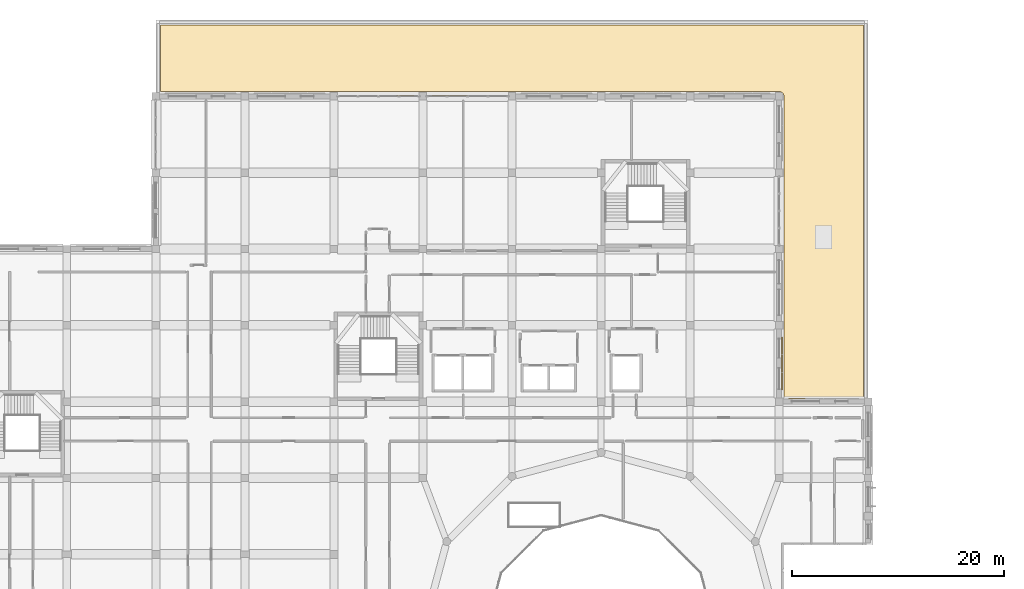
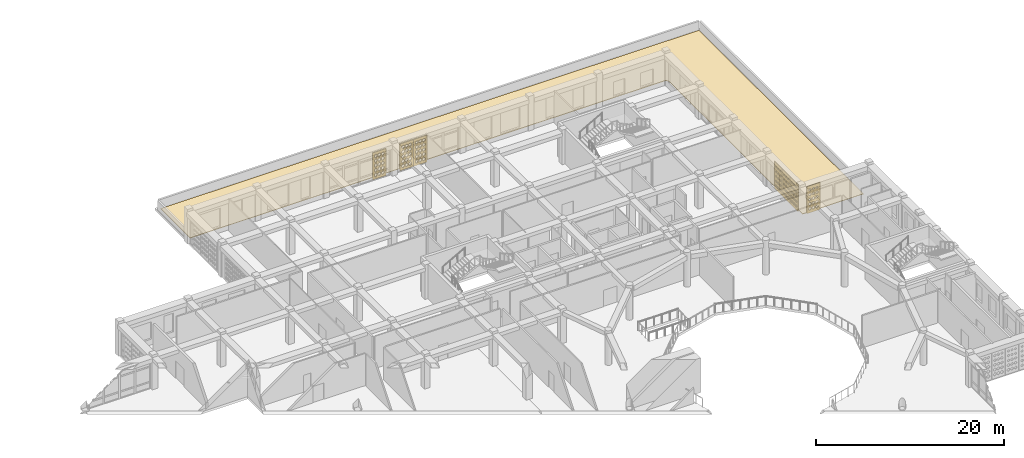
# One storey, part 92 of 100: 8 coverings.
"""IFC4 building model written with IfcOpenShell, lengths in metres."""

from ifc_helpers import new_model, si_unit, derived_unit, direction, frame, origin, place, context, subcontext, project, spatial, polyline, outline, extrude, material, layer, layer_set, type_object, element, save


model = new_model("IFC4")

# Units and contexts
model_context = context("Model", 3, precision=1e-05, world=origin(), true_north=direction((0.0, 1.0)))
body_context = subcontext(model_context, "Body", "Model", "MODEL_VIEW")
ifc_project = project(units=[si_unit("LENGTHUNIT", "METRE"), si_unit("AREAUNIT", "SQUARE_METRE"), si_unit("VOLUMEUNIT", "CUBIC_METRE"), si_unit("PLANEANGLEUNIT", "RADIAN"), si_unit("MASSUNIT", "GRAM", prefix="KILO"), derived_unit("THERMALTRANSMITTANCEUNIT", [(si_unit("POWERUNIT", "WATT"), 1), (si_unit("LENGTHUNIT", "METRE"), -2), (si_unit("THERMODYNAMICTEMPERATUREUNIT", "KELVIN"), -1)])], contexts=[model_context])

# Site, building, storey
site_placement = place(None, origin())
site = spatial("IfcSite", under=ifc_project, at=site_placement, CompositionType="ELEMENT")
building_placement = place(site_placement, origin())
building = spatial("IfcBuilding", under=site, at=building_placement, Name="Veybourne Emporium", CompositionType="ELEMENT")
storey_placement = place(building_placement, frame((0.0, 0.0, 14.39990234375)))
storey = spatial("IfcBuildingStorey", under=building, at=storey_placement, Name="L03", CompositionType="ELEMENT", Elevation=14.39990234375)

# Coverings
ifc_material_1 = material(Name="Single-Ply Warm Roof Membrane", Category="membrane")
ifc_layer_1 = layer(ifc_material_1, 0.06005859375)
ifc_layer_set_1 = layer_set([ifc_layer_1], Name="Single-Ply Warm Roof Membrane")
covering_type_1 = type_object("IfcCoveringType", Name="Roofing_RFG-01", PredefinedType="ROOFING", material=ifc_layer_set_1)
covering_1_placement = place(storey_placement, origin())
element("IfcCovering", 1, at=covering_1_placement, inside=storey, type_object=covering_type_1, Name="L03 warm-roof waterproofing membrane 3.1", PredefinedType="ROOFING", context=body_context, shape_type="SweptSolid", body=[
    extrude(outline(polyline([(92.85009765625, 100.800048828125), (92.847900390625, 100.843994140625), (92.84130859375, 100.8876953125), (92.83056640625, 100.9306640625), (92.815673828125, 100.97216796875), (92.796875, 101.01220703125), (92.774169921875, 101.050048828125), (92.747802734375, 101.08544921875), (92.71826171875, 101.1181640625), (92.685546875, 101.14794921875), (92.64990234375, 101.174072265625), (92.612060546875, 101.19677734375), (92.572265625, 101.2158203125), (92.530517578125, 101.230712890625), (92.48779296875, 101.241455078125), (92.444091796875, 101.247802734375), (92.39990234375, 101.25), (34.050048828125, 101.25), (34.050048828125, 107.550048828125), (100.35009765625, 107.550048828125), (100.35009765625, 72.449951171875), (92.85009765625, 72.449951171875), (92.85009765625, 100.800048828125)])), origin(), (0.0, 0.0, 1.0), 0.06005859375),
])
ifc_material_2 = material(Name="Warm-White Perforated Aluminium Screen Alloy", Category="aluminium")
ifc_layer_2 = layer(ifc_material_2, 0.06005859375)
ifc_layer_set_2 = layer_set([ifc_layer_2], Name="Warm-White Perforated Aluminium Screen Alloy")
covering_type_2 = type_object("IfcCoveringType", Name="WaveScreen_SCR-01", PredefinedType="CLADDING", material=ifc_layer_set_2)
covering_2_placement = place(storey_placement, frame((57.1201171875, 100.89697265625, 1.815185546875), z_axis=(0.0, -1.0, 0.0), x_axis=(1.0, 0.0, 0.0)))
element("IfcCovering", 2, at=covering_2_placement, inside=storey, type_object=covering_type_2, Name="L03 wave-perforated aluminium screen SCR-01 (33C.4)", PredefinedType="CLADDING", context=body_context, shape_type="SweptSolid", body=[
    extrude(outline(polyline([(-0.81982421875, -1.7548828125), (0.81982421875, -1.7548828125), (0.81982421875, 1.7548828125), (-0.81982421875, 1.7548828125), (-0.81982421875, -1.7548828125)]), holes=[polyline([(-0.433349609375, -0.964111328125), (-0.2470703125, -1.133056640625), (-0.2470703125, -1.322998046875), (-0.433349609375, -1.491943359375), (-0.61962890625, -1.322998046875), (-0.61962890625, -1.133056640625), (-0.433349609375, -0.964111328125)]), polyline([(-0.433349609375, -0.35009765625), (-0.2470703125, -0.51904296875), (-0.2470703125, -0.708984375), (-0.433349609375, -0.8779296875), (-0.61962890625, -0.708984375), (-0.61962890625, -0.51904296875), (-0.433349609375, -0.35009765625)]), polyline([(-0.433349609375, 0.263916015625), (-0.2470703125, 0.094970703125), (-0.2470703125, -0.094970703125), (-0.433349609375, -0.263916015625), (-0.61962890625, -0.094970703125), (-0.61962890625, 0.094970703125), (-0.433349609375, 0.263916015625)]), polyline([(-0.433349609375, 0.8779296875), (-0.2470703125, 0.708984375), (-0.2470703125, 0.51904296875), (-0.433349609375, 0.35009765625), (-0.61962890625, 0.51904296875), (-0.61962890625, 0.708984375), (-0.433349609375, 0.8779296875)]), polyline([(-0.433349609375, 1.491943359375), (-0.2470703125, 1.322998046875), (-0.2470703125, 1.133056640625), (-0.433349609375, 0.964111328125), (-0.61962890625, 1.133056640625), (-0.61962890625, 1.322998046875), (-0.433349609375, 1.491943359375)]), polyline([(0.0, -0.964111328125), (0.186279296875, -1.133056640625), (0.186279296875, -1.322998046875), (0.0, -1.491943359375), (-0.186279296875, -1.322998046875), (-0.186279296875, -1.133056640625), (0.0, -0.964111328125)]), polyline([(0.0, -0.35009765625), (0.186279296875, -0.51904296875), (0.186279296875, -0.708984375), (0.0, -0.8779296875), (-0.186279296875, -0.708984375), (-0.186279296875, -0.51904296875), (0.0, -0.35009765625)]), polyline([(0.0, 0.263916015625), (0.186279296875, 0.094970703125), (0.186279296875, -0.094970703125), (0.0, -0.263916015625), (-0.186279296875, -0.094970703125), (-0.186279296875, 0.094970703125), (0.0, 0.263916015625)]), polyline([(0.0, 0.8779296875), (0.186279296875, 0.708984375), (0.186279296875, 0.51904296875), (0.0, 0.35009765625), (-0.186279296875, 0.51904296875), (-0.186279296875, 0.708984375), (0.0, 0.8779296875)]), polyline([(0.0, 1.491943359375), (0.186279296875, 1.322998046875), (0.186279296875, 1.133056640625), (0.0, 0.964111328125), (-0.186279296875, 1.133056640625), (-0.186279296875, 1.322998046875), (0.0, 1.491943359375)]), polyline([(0.433349609375, -0.964111328125), (0.61962890625, -1.133056640625), (0.61962890625, -1.322998046875), (0.433349609375, -1.491943359375), (0.2470703125, -1.322998046875), (0.2470703125, -1.133056640625), (0.433349609375, -0.964111328125)]), polyline([(0.433349609375, -0.35009765625), (0.61962890625, -0.51904296875), (0.61962890625, -0.708984375), (0.433349609375, -0.8779296875), (0.2470703125, -0.708984375), (0.2470703125, -0.51904296875), (0.433349609375, -0.35009765625)]), polyline([(0.433349609375, 0.263916015625), (0.61962890625, 0.094970703125), (0.61962890625, -0.094970703125), (0.433349609375, -0.263916015625), (0.2470703125, -0.094970703125), (0.2470703125, 0.094970703125), (0.433349609375, 0.263916015625)]), polyline([(0.433349609375, 0.8779296875), (0.61962890625, 0.708984375), (0.61962890625, 0.51904296875), (0.433349609375, 0.35009765625), (0.2470703125, 0.51904296875), (0.2470703125, 0.708984375), (0.433349609375, 0.8779296875)]), polyline([(0.433349609375, 1.491943359375), (0.61962890625, 1.322998046875), (0.61962890625, 1.133056640625), (0.433349609375, 0.964111328125), (0.2470703125, 1.133056640625), (0.2470703125, 1.322998046875), (0.433349609375, 1.491943359375)])]), origin(), (0.0, 0.0, 1.0), 0.06005859375),
])
covering_3_placement = place(storey_placement, frame((60.47998046875, 100.89306640625, 1.815185546875), z_axis=(0.0, -1.0, 0.0), x_axis=(1.0, 0.0, 0.0)))
element("IfcCovering", 3, at=covering_3_placement, inside=storey, type_object=covering_type_2, Name="L03 wave-perforated aluminium screen SCR-01 (36C.1)", PredefinedType="CLADDING", context=body_context, shape_type="SweptSolid", body=[
    extrude(outline(polyline([(-0.81982421875, -1.7548828125), (0.81982421875, -1.7548828125), (0.81982421875, 1.7548828125), (-0.81982421875, 1.7548828125), (-0.81982421875, -1.7548828125)]), holes=[polyline([(-0.433349609375, -0.964111328125), (-0.2470703125, -1.133056640625), (-0.2470703125, -1.322998046875), (-0.433349609375, -1.491943359375), (-0.61962890625, -1.322998046875), (-0.61962890625, -1.133056640625), (-0.433349609375, -0.964111328125)]), polyline([(-0.433349609375, -0.35009765625), (-0.2470703125, -0.51904296875), (-0.2470703125, -0.708984375), (-0.433349609375, -0.8779296875), (-0.61962890625, -0.708984375), (-0.61962890625, -0.51904296875), (-0.433349609375, -0.35009765625)]), polyline([(-0.433349609375, 0.263916015625), (-0.2470703125, 0.094970703125), (-0.2470703125, -0.094970703125), (-0.433349609375, -0.263916015625), (-0.61962890625, -0.094970703125), (-0.61962890625, 0.094970703125), (-0.433349609375, 0.263916015625)]), polyline([(-0.433349609375, 0.8701171875), (-0.2470703125, 0.706298828125), (-0.2470703125, 0.521728515625), (-0.433349609375, 0.35791015625), (-0.61962890625, 0.521728515625), (-0.61962890625, 0.706298828125), (-0.433349609375, 0.8701171875)]), polyline([(-0.433349609375, 1.474365234375), (-0.2470703125, 1.316650390625), (-0.2470703125, 1.139404296875), (-0.433349609375, 0.981689453125), (-0.61962890625, 1.139404296875), (-0.61962890625, 1.316650390625), (-0.433349609375, 1.474365234375)]), polyline([(0.0, -0.964111328125), (0.186279296875, -1.133056640625), (0.186279296875, -1.322998046875), (0.0, -1.491943359375), (-0.186279296875, -1.322998046875), (-0.186279296875, -1.133056640625), (0.0, -0.964111328125)]), polyline([(0.0, -0.35009765625), (0.186279296875, -0.51904296875), (0.186279296875, -0.708984375), (0.0, -0.8779296875), (-0.186279296875, -0.708984375), (-0.186279296875, -0.51904296875), (0.0, -0.35009765625)]), polyline([(0.0, 0.2607421875), (0.186279296875, 0.093994140625), (0.186279296875, -0.093994140625), (0.0, -0.2607421875), (-0.186279296875, -0.093994140625), (-0.186279296875, 0.093994140625), (0.0, 0.2607421875)]), polyline([(0.0, 0.865966796875), (0.186279296875, 0.70458984375), (0.186279296875, 0.523193359375), (0.0, 0.362060546875), (-0.186279296875, 0.523193359375), (-0.186279296875, 0.70458984375), (0.0, 0.865966796875)]), polyline([(0.0, 1.46923828125), (0.186279296875, 1.314697265625), (0.186279296875, 1.14111328125), (0.0, 0.98681640625), (-0.186279296875, 1.14111328125), (-0.186279296875, 1.314697265625), (0.0, 1.46923828125)]), polyline([(0.433349609375, -0.964111328125), (0.61962890625, -1.133056640625), (0.61962890625, -1.322998046875), (0.433349609375, -1.491943359375), (0.2470703125, -1.322998046875), (0.2470703125, -1.133056640625), (0.433349609375, -0.964111328125)]), polyline([(0.433349609375, -0.35009765625), (0.61962890625, -0.51904296875), (0.61962890625, -0.708984375), (0.433349609375, -0.8779296875), (0.2470703125, -0.708984375), (0.2470703125, -0.51904296875), (0.433349609375, -0.35009765625)]), polyline([(0.433349609375, 0.257080078125), (0.61962890625, 0.092529296875), (0.61962890625, -0.092529296875), (0.433349609375, -0.257080078125), (0.2470703125, -0.092529296875), (0.2470703125, 0.092529296875), (0.433349609375, 0.257080078125)]), polyline([(0.433349609375, 0.861083984375), (0.61962890625, 0.702880859375), (0.61962890625, 0.52490234375), (0.433349609375, 0.36669921875), (0.2470703125, 0.52490234375), (0.2470703125, 0.702880859375), (0.433349609375, 0.861083984375)]), polyline([(0.433349609375, 1.4638671875), (0.61962890625, 1.31298828125), (0.61962890625, 1.14306640625), (0.433349609375, 0.9921875), (0.2470703125, 1.14306640625), (0.2470703125, 1.31298828125), (0.433349609375, 1.4638671875)])]), origin(), (0.0, 0.0, 1.0), 0.06005859375),
])
covering_4_placement = place(storey_placement, frame((92.697998046875, 75.60009765625, 1.815185546875), z_axis=(-1.0, 0.0, 0.0), x_axis=(0.0, -1.0, 0.0)))
element("IfcCovering", 4, at=covering_4_placement, inside=storey, type_object=covering_type_2, Name="L03 wave-perforated aluminium screen SCR-01 (43.2)", PredefinedType="CLADDING", context=body_context, shape_type="SweptSolid", body=[
    extrude(outline(polyline([(-0.81982421875, -1.7548828125), (0.81982421875, -1.7548828125), (0.81982421875, 1.7548828125), (-0.81982421875, 1.7548828125), (-0.81982421875, -1.7548828125)]), holes=[polyline([(-0.433349609375, -1.035888671875), (-0.26611328125, -1.158935546875), (-0.26611328125, -1.297119140625), (-0.433349609375, -1.420166015625), (-0.6005859375, -1.297119140625), (-0.6005859375, -1.158935546875), (-0.433349609375, -1.035888671875)]), polyline([(-0.433349609375, -0.43603515625), (-0.277587890625, -0.5498046875), (-0.277587890625, -0.677978515625), (-0.433349609375, -0.7919921875), (-0.5888671875, -0.677978515625), (-0.5888671875, -0.5498046875), (-0.433349609375, -0.43603515625)]), polyline([(-0.433349609375, 0.164306640625), (-0.288818359375, 0.05908203125), (-0.288818359375, -0.05908203125), (-0.433349609375, -0.164306640625), (-0.577880859375, -0.05908203125), (-0.577880859375, 0.05908203125), (-0.433349609375, 0.164306640625)]), polyline([(-0.433349609375, 0.765380859375), (-0.29931640625, 0.66845703125), (-0.29931640625, 0.5595703125), (-0.433349609375, 0.462646484375), (-0.567138671875, 0.5595703125), (-0.567138671875, 0.66845703125), (-0.433349609375, 0.765380859375)]), polyline([(-0.433349609375, 1.367919921875), (-0.308837890625, 1.2783203125), (-0.308837890625, 1.177734375), (-0.433349609375, 1.088134765625), (-0.5576171875, 1.177734375), (-0.5576171875, 1.2783203125), (-0.433349609375, 1.367919921875)]), polyline([(0.0, -1.029541015625), (0.17236328125, -1.156494140625), (0.17236328125, -1.299560546875), (0.0, -1.426513671875), (-0.17236328125, -1.299560546875), (-0.17236328125, -1.156494140625), (0.0, -1.029541015625)]), polyline([(0.0, -0.4296875), (0.160888671875, -0.547607421875), (0.160888671875, -0.680419921875), (0.0, -0.79833984375), (-0.160888671875, -0.680419921875), (-0.160888671875, -0.547607421875), (0.0, -0.4296875)]), polyline([(0.0, 0.17041015625), (0.1494140625, 0.061279296875), (0.1494140625, -0.061279296875), (0.0, -0.17041015625), (-0.1494140625, -0.061279296875), (-0.1494140625, 0.061279296875), (0.0, 0.17041015625)]), polyline([(0.0, 0.77099609375), (0.138671875, 0.670654296875), (0.138671875, 0.557373046875), (0.0, 0.456787109375), (-0.138671875, 0.557373046875), (-0.138671875, 0.670654296875), (0.0, 0.77099609375)]), polyline([(0.0, 1.372802734375), (0.128662109375, 1.2802734375), (0.128662109375, 1.17578125), (0.0, 1.0830078125), (-0.128662109375, 1.17578125), (-0.128662109375, 1.2802734375), (0.0, 1.372802734375)]), polyline([(0.433349609375, -1.023193359375), (0.611083984375, -1.154296875), (0.611083984375, -1.3017578125), (0.433349609375, -1.432861328125), (0.255615234375, -1.3017578125), (0.255615234375, -1.154296875), (0.433349609375, -1.023193359375)]), polyline([(0.433349609375, -0.423095703125), (0.599365234375, -0.54541015625), (0.599365234375, -0.6826171875), (0.433349609375, -0.8046875), (0.267333984375, -0.6826171875), (0.267333984375, -0.54541015625), (0.433349609375, -0.423095703125)]), polyline([(0.433349609375, 0.1767578125), (0.587890625, 0.063720703125), (0.587890625, -0.063720703125), (0.433349609375, -0.1767578125), (0.27880859375, -0.063720703125), (0.27880859375, 0.063720703125), (0.433349609375, 0.1767578125)]), polyline([(0.433349609375, 0.777099609375), (0.57666015625, 0.672607421875), (0.57666015625, 0.555419921875), (0.433349609375, 0.450927734375), (0.289794921875, 0.555419921875), (0.289794921875, 0.672607421875), (0.433349609375, 0.777099609375)]), polyline([(0.433349609375, 1.37841796875), (0.56640625, 1.281982421875), (0.56640625, 1.173828125), (0.433349609375, 1.07763671875), (0.30029296875, 1.173828125), (0.30029296875, 1.281982421875), (0.433349609375, 1.37841796875)])]), origin(), (0.0, 0.0, 1.0), 0.06005859375),
])
ifc_layer_3 = layer(ifc_material_2, 0.06005859375)
ifc_layer_set_3 = layer_set([ifc_layer_3], Name="Warm-White Perforated Aluminium Screen Alloy")
covering_type_3 = type_object("IfcCoveringType", Name="WaveScreen_SCR-02", PredefinedType="CLADDING", material=ifc_layer_set_3)
covering_5_placement = place(storey_placement, frame((62.159912109375, 100.89306640625, 1.815185546875), z_axis=(0.0, -1.0, 0.0), x_axis=(1.0, 0.0, 0.0)))
element("IfcCovering", 5, at=covering_5_placement, inside=storey, type_object=covering_type_3, Name="L03 wave-perforated aluminium screen SCR-02 (36C.2)", PredefinedType="CLADDING", context=body_context, shape_type="SweptSolid", body=[
    extrude(outline(polyline([(-0.81982421875, -1.7548828125), (0.81982421875, -1.7548828125), (0.81982421875, 1.7548828125), (-0.81982421875, 1.7548828125), (-0.81982421875, -1.7548828125)]), holes=[polyline([(-0.433349609375, -0.964111328125), (-0.2470703125, -1.133056640625), (-0.2470703125, -1.322998046875), (-0.433349609375, -1.491943359375), (-0.61962890625, -1.322998046875), (-0.61962890625, -1.133056640625), (-0.433349609375, -0.964111328125)]), polyline([(-0.433349609375, -0.355712890625), (-0.2470703125, -0.52099609375), (-0.2470703125, -0.70703125), (-0.433349609375, -0.872314453125), (-0.61962890625, -0.70703125), (-0.61962890625, -0.52099609375), (-0.433349609375, -0.355712890625)]), polyline([(-0.433349609375, 0.248779296875), (-0.2470703125, 0.089599609375), (-0.2470703125, -0.089599609375), (-0.433349609375, -0.248779296875), (-0.61962890625, -0.089599609375), (-0.61962890625, 0.089599609375), (-0.433349609375, 0.248779296875)]), polyline([(-0.433349609375, 0.851806640625), (-0.2470703125, 0.69970703125), (-0.2470703125, 0.5283203125), (-0.433349609375, 0.376220703125), (-0.61962890625, 0.5283203125), (-0.61962890625, 0.69970703125), (-0.433349609375, 0.851806640625)]), polyline([(-0.433349609375, 1.453125), (-0.2470703125, 1.30908203125), (-0.2470703125, 1.14697265625), (-0.433349609375, 1.002685546875), (-0.61962890625, 1.14697265625), (-0.61962890625, 1.30908203125), (-0.433349609375, 1.453125)]), polyline([(0.0, -0.96533203125), (0.186279296875, -1.13330078125), (0.186279296875, -1.322509765625), (0.0, -1.49072265625), (-0.186279296875, -1.322509765625), (-0.186279296875, -1.13330078125), (0.0, -0.96533203125)]), polyline([(0.0, -0.35986328125), (0.186279296875, -0.5224609375), (0.186279296875, -0.70556640625), (0.0, -0.8681640625), (-0.186279296875, -0.70556640625), (-0.186279296875, -0.5224609375), (0.0, -0.35986328125)]), polyline([(0.0, 0.243896484375), (0.186279296875, 0.087890625), (0.186279296875, -0.087890625), (0.0, -0.243896484375), (-0.186279296875, -0.087890625), (-0.186279296875, 0.087890625), (0.0, 0.243896484375)]), polyline([(0.0, 0.84619140625), (0.186279296875, 0.697509765625), (0.186279296875, 0.530517578125), (0.0, 0.3818359375), (-0.186279296875, 0.530517578125), (-0.186279296875, 0.697509765625), (0.0, 0.84619140625)]), polyline([(0.0, 1.447265625), (0.186279296875, 1.306884765625), (0.186279296875, 1.149169921875), (0.0, 1.0087890625), (-0.186279296875, 1.149169921875), (-0.186279296875, 1.306884765625), (0.0, 1.447265625)]), polyline([(0.433349609375, -0.968994140625), (0.61962890625, -1.134765625), (0.61962890625, -1.3212890625), (0.433349609375, -1.487060546875), (0.2470703125, -1.3212890625), (0.2470703125, -1.134765625), (0.433349609375, -0.968994140625)]), polyline([(0.433349609375, -0.3642578125), (0.61962890625, -0.524169921875), (0.61962890625, -0.703857421875), (0.433349609375, -0.86376953125), (0.2470703125, -0.703857421875), (0.2470703125, -0.524169921875), (0.433349609375, -0.3642578125)]), polyline([(0.433349609375, 0.23876953125), (0.61962890625, 0.0859375), (0.61962890625, -0.0859375), (0.433349609375, -0.23876953125), (0.2470703125, -0.0859375), (0.2470703125, 0.0859375), (0.433349609375, 0.23876953125)]), polyline([(0.433349609375, 0.84033203125), (0.61962890625, 0.695556640625), (0.61962890625, 0.532470703125), (0.433349609375, 0.3876953125), (0.2470703125, 0.532470703125), (0.2470703125, 0.695556640625), (0.433349609375, 0.84033203125)]), polyline([(0.433349609375, 1.44091796875), (0.61767578125, 1.3046875), (0.61767578125, 1.1513671875), (0.433349609375, 1.014892578125), (0.2490234375, 1.1513671875), (0.2490234375, 1.3046875), (0.433349609375, 1.44091796875)])]), origin(), (0.0, 0.0, 1.0), 0.06005859375),
])
covering_6_placement = place(storey_placement, frame((92.697998046875, 73.919921875, 1.815185546875), z_axis=(-1.0, 0.0, 0.0), x_axis=(0.0, -1.0, 0.0)))
element("IfcCovering", 6, at=covering_6_placement, inside=storey, type_object=covering_type_3, Name="L03 wave-perforated aluminium screen SCR-02 (43.3)", PredefinedType="CLADDING", context=body_context, shape_type="SweptSolid", body=[
    extrude(outline(polyline([(-0.81982421875, -1.7548828125), (0.81982421875, -1.7548828125), (0.81982421875, 1.7548828125), (-0.81982421875, 1.7548828125), (-0.81982421875, -1.7548828125)]), holes=[polyline([(-0.433349609375, -1.01123046875), (-0.2470703125, -1.14990234375), (-0.2470703125, -1.305908203125), (-0.433349609375, -1.444580078125), (-0.61962890625, -1.305908203125), (-0.61962890625, -1.14990234375), (-0.433349609375, -1.01123046875)]), polyline([(-0.433349609375, -0.4111328125), (-0.25732421875, -0.541015625), (-0.25732421875, -0.68701171875), (-0.433349609375, -0.81689453125), (-0.609375, -0.68701171875), (-0.609375, -0.541015625), (-0.433349609375, -0.4111328125)]), polyline([(-0.433349609375, 0.188720703125), (-0.26904296875, 0.06787109375), (-0.26904296875, -0.06787109375), (-0.433349609375, -0.188720703125), (-0.59765625, -0.06787109375), (-0.59765625, 0.06787109375), (-0.433349609375, 0.188720703125)]), polyline([(-0.433349609375, 0.78857421875), (-0.280517578125, 0.677001953125), (-0.280517578125, 0.551025390625), (-0.433349609375, 0.439453125), (-0.586181640625, 0.551025390625), (-0.586181640625, 0.677001953125), (-0.433349609375, 0.78857421875)]), polyline([(-0.433349609375, 1.38916015625), (-0.29150390625, 1.285888671875), (-0.29150390625, 1.169921875), (-0.433349609375, 1.06689453125), (-0.5751953125, 1.169921875), (-0.5751953125, 1.285888671875), (-0.433349609375, 1.38916015625)]), polyline([(0.0, -1.00537109375), (0.186279296875, -1.147705078125), (0.186279296875, -1.30810546875), (0.0, -1.45068359375), (-0.186279296875, -1.30810546875), (-0.186279296875, -1.147705078125), (0.0, -1.00537109375)]), polyline([(0.0, -0.40478515625), (0.18115234375, -0.538818359375), (0.18115234375, -0.689208984375), (0.0, -0.8232421875), (-0.18115234375, -0.689208984375), (-0.18115234375, -0.538818359375), (0.0, -0.40478515625)]), polyline([(0.0, 0.195068359375), (0.169677734375, 0.0703125), (0.169677734375, -0.0703125), (0.0, -0.195068359375), (-0.169677734375, -0.0703125), (-0.169677734375, 0.0703125), (0.0, 0.195068359375)]), polyline([(0.0, 0.794921875), (0.158203125, 0.67919921875), (0.158203125, 0.548828125), (0.0, 0.43310546875), (-0.158203125, 0.548828125), (-0.158203125, 0.67919921875), (0.0, 0.794921875)]), polyline([(0.0, 1.39501953125), (0.146728515625, 1.2880859375), (0.146728515625, 1.167724609375), (0.0, 1.060791015625), (-0.146728515625, 1.167724609375), (-0.146728515625, 1.2880859375), (0.0, 1.39501953125)]), polyline([(0.433349609375, -0.99951171875), (0.61962890625, -1.145751953125), (0.61962890625, -1.310302734375), (0.433349609375, -1.45654296875), (0.2470703125, -1.310302734375), (0.2470703125, -1.145751953125), (0.433349609375, -0.99951171875)]), polyline([(0.433349609375, -0.398681640625), (0.61962890625, -0.53662109375), (0.61962890625, -0.69140625), (0.433349609375, -0.829345703125), (0.2470703125, -0.69140625), (0.2470703125, -0.53662109375), (0.433349609375, -0.398681640625)]), polyline([(0.433349609375, 0.201416015625), (0.608154296875, 0.072509765625), (0.608154296875, -0.072509765625), (0.433349609375, -0.201416015625), (0.258544921875, -0.072509765625), (0.258544921875, 0.072509765625), (0.433349609375, 0.201416015625)]), polyline([(0.433349609375, 0.801513671875), (0.5966796875, 0.681396484375), (0.5966796875, 0.546630859375), (0.433349609375, 0.426513671875), (0.27001953125, 0.546630859375), (0.27001953125, 0.681396484375), (0.433349609375, 0.801513671875)]), polyline([(0.433349609375, 1.4013671875), (0.585205078125, 1.290283203125), (0.585205078125, 1.16552734375), (0.433349609375, 1.0546875), (0.281494140625, 1.16552734375), (0.281494140625, 1.290283203125), (0.433349609375, 1.4013671875)])]), origin(), (0.0, 0.0, 1.0), 0.06005859375),
])
ifc_layer_4 = layer(ifc_material_2, 0.06005859375)
ifc_layer_set_4 = layer_set([ifc_layer_4], Name="Warm-White Perforated Aluminium Screen Alloy")
covering_type_4 = type_object("IfcCoveringType", Name="WaveScreen_SCR-04", PredefinedType="CLADDING", material=ifc_layer_set_4)
covering_7_placement = place(storey_placement, frame((92.697998046875, 77.280029296875, 1.815185546875), z_axis=(-1.0, 0.0, 0.0), x_axis=(0.0, -1.0, 0.0)))
element("IfcCovering", 7, at=covering_7_placement, inside=storey, type_object=covering_type_4, Name="L03 wave-perforated aluminium screen SCR-04 (43.1)", PredefinedType="CLADDING", context=body_context, shape_type="SweptSolid", body=[
    extrude(outline(polyline([(-0.81982421875, -1.7548828125), (0.81982421875, -1.7548828125), (0.81982421875, 1.7548828125), (-0.81982421875, 1.7548828125), (-0.81982421875, -1.7548828125)]), holes=[polyline([(-0.433349609375, -1.060546875), (-0.286376953125, -1.167724609375), (-0.286376953125, -1.288330078125), (-0.433349609375, -1.3955078125), (-0.580322265625, -1.288330078125), (-0.580322265625, -1.167724609375), (-0.433349609375, -1.060546875)]), polyline([(-0.433349609375, -0.459716796875), (-0.297119140625, -0.558349609375), (-0.297119140625, -0.669677734375), (-0.433349609375, -0.768310546875), (-0.569580078125, -0.669677734375), (-0.569580078125, -0.558349609375), (-0.433349609375, -0.459716796875)]), polyline([(-0.433349609375, 0.142578125), (-0.306884765625, 0.05126953125), (-0.306884765625, -0.05126953125), (-0.433349609375, -0.142578125), (-0.559814453125, -0.05126953125), (-0.559814453125, 0.05126953125), (-0.433349609375, 0.142578125)]), polyline([(-0.433349609375, 0.74609375), (-0.315185546875, 0.66162109375), (-0.315185546875, 0.56640625), (-0.433349609375, 0.48193359375), (-0.55126953125, 0.56640625), (-0.55126953125, 0.66162109375), (-0.433349609375, 0.74609375)]), polyline([(-0.433349609375, 1.351318359375), (-0.322509765625, 1.2724609375), (-0.322509765625, 1.18359375), (-0.433349609375, 1.104736328125), (-0.544189453125, 1.18359375), (-0.544189453125, 1.2724609375), (-0.433349609375, 1.351318359375)]), polyline([(0.0, -1.05419921875), (0.152099609375, -1.16552734375), (0.152099609375, -1.29052734375), (0.0, -1.401611328125), (-0.152099609375, -1.29052734375), (-0.152099609375, -1.16552734375), (0.0, -1.05419921875)]), polyline([(0.0, -0.45361328125), (0.14111328125, -0.556396484375), (0.14111328125, -0.671630859375), (0.0, -0.7744140625), (-0.14111328125, -0.671630859375), (-0.14111328125, -0.556396484375), (0.0, -0.45361328125)]), polyline([(0.0, 0.147705078125), (0.130859375, 0.05322265625), (0.130859375, -0.05322265625), (0.0, -0.147705078125), (-0.130859375, -0.05322265625), (-0.130859375, 0.05322265625), (0.0, 0.147705078125)]), polyline([(0.0, 0.75048828125), (0.12158203125, 0.6630859375), (0.12158203125, 0.564697265625), (0.0, 0.477294921875), (-0.12158203125, 0.564697265625), (-0.12158203125, 0.6630859375), (0.0, 0.75048828125)]), polyline([(0.0, 1.35498046875), (0.114013671875, 1.273681640625), (0.114013671875, 1.182373046875), (0.0, 1.10107421875), (-0.114013671875, 1.182373046875), (-0.114013671875, 1.273681640625), (0.0, 1.35498046875)]), polyline([(0.433349609375, -1.0478515625), (0.590576171875, -1.1630859375), (0.590576171875, -1.292724609375), (0.433349609375, -1.408203125), (0.27587890625, -1.292724609375), (0.27587890625, -1.1630859375), (0.433349609375, -1.0478515625)]), polyline([(0.433349609375, -0.44775390625), (0.579345703125, -0.55419921875), (0.579345703125, -0.673828125), (0.433349609375, -0.7802734375), (0.287353515625, -0.673828125), (0.287353515625, -0.55419921875), (0.433349609375, -0.44775390625)]), polyline([(0.433349609375, 0.1533203125), (0.568603515625, 0.05517578125), (0.568603515625, -0.05517578125), (0.433349609375, -0.1533203125), (0.2978515625, -0.05517578125), (0.2978515625, 0.05517578125), (0.433349609375, 0.1533203125)]), polyline([(0.433349609375, 0.75537109375), (0.55908203125, 0.664794921875), (0.55908203125, 0.56298828125), (0.433349609375, 0.47265625), (0.3076171875, 0.56298828125), (0.3076171875, 0.664794921875), (0.433349609375, 0.75537109375)]), polyline([(0.433349609375, 1.359130859375), (0.550537109375, 1.275146484375), (0.550537109375, 1.180908203125), (0.433349609375, 1.096923828125), (0.316162109375, 1.180908203125), (0.316162109375, 1.275146484375), (0.433349609375, 1.359130859375)])]), origin(), (0.0, 0.0, 1.0), 0.06005859375),
])
covering_8_placement = place(storey_placement, frame((94.080078125, 72.298095703125, 1.815185546875), z_axis=(0.0, -1.0, 0.0), x_axis=(1.0, 0.0, 0.0)))
element("IfcCovering", 8, at=covering_8_placement, inside=storey, type_object=covering_type_4, Name="L03 wave-perforated aluminium screen SCR-04 (59.1)", PredefinedType="CLADDING", context=body_context, shape_type="SweptSolid", body=[
    extrude(outline(polyline([(-0.81982421875, -1.7548828125), (0.81982421875, -1.7548828125), (0.81982421875, 1.7548828125), (-0.81982421875, 1.7548828125), (-0.81982421875, -1.7548828125)]), holes=[polyline([(-0.433349609375, -0.99609375), (-0.2470703125, -1.14453125), (-0.2470703125, -1.311279296875), (-0.433349609375, -1.459716796875), (-0.61962890625, -1.311279296875), (-0.61962890625, -1.14453125), (-0.433349609375, -0.99609375)]), polyline([(-0.433349609375, -0.395263671875), (-0.2470703125, -0.53515625), (-0.2470703125, -0.69287109375), (-0.433349609375, -0.832763671875), (-0.61962890625, -0.69287109375), (-0.61962890625, -0.53515625), (-0.433349609375, -0.395263671875)]), polyline([(-0.433349609375, 0.205078125), (-0.255615234375, 0.07373046875), (-0.255615234375, -0.07373046875), (-0.433349609375, -0.205078125), (-0.611083984375, -0.07373046875), (-0.611083984375, 0.07373046875), (-0.433349609375, 0.205078125)]), polyline([(-0.433349609375, 0.804931640625), (-0.26708984375, 0.6826171875), (-0.26708984375, 0.54541015625), (-0.433349609375, 0.423095703125), (-0.599609375, 0.54541015625), (-0.599609375, 0.6826171875), (-0.433349609375, 0.804931640625)]), polyline([(-0.433349609375, 1.40478515625), (-0.27880859375, 1.291748046875), (-0.27880859375, 1.164306640625), (-0.433349609375, 1.05126953125), (-0.587890625, 1.164306640625), (-0.587890625, 1.291748046875), (-0.433349609375, 1.40478515625)]), polyline([(0.0, -1.001953125), (0.186279296875, -1.146484375), (0.186279296875, -1.309326171875), (0.0, -1.4541015625), (-0.186279296875, -1.309326171875), (-0.186279296875, -1.146484375), (0.0, -1.001953125)]), polyline([(0.0, -0.4013671875), (0.18408203125, -0.53759765625), (0.18408203125, -0.6904296875), (0.0, -0.82666015625), (-0.18408203125, -0.6904296875), (-0.18408203125, -0.53759765625), (0.0, -0.4013671875)]), polyline([(0.0, 0.19873046875), (0.172607421875, 0.071533203125), (0.172607421875, -0.071533203125), (0.0, -0.19873046875), (-0.172607421875, -0.071533203125), (-0.172607421875, 0.071533203125), (0.0, 0.19873046875)]), polyline([(0.0, 0.798583984375), (0.160888671875, 0.680419921875), (0.160888671875, 0.547607421875), (0.0, 0.429443359375), (-0.160888671875, 0.547607421875), (-0.160888671875, 0.680419921875), (0.0, 0.798583984375)]), polyline([(0.0, 1.398681640625), (0.149658203125, 1.289306640625), (0.149658203125, 1.16650390625), (0.0, 1.057373046875), (-0.149658203125, 1.16650390625), (-0.149658203125, 1.289306640625), (0.0, 1.398681640625)]), polyline([(0.433349609375, -1.0078125), (0.61962890625, -1.148681640625), (0.61962890625, -1.30712890625), (0.433349609375, -1.447998046875), (0.2470703125, -1.30712890625), (0.2470703125, -1.148681640625), (0.433349609375, -1.0078125)]), polyline([(0.433349609375, -0.40771484375), (0.6123046875, -0.539794921875), (0.6123046875, -0.688232421875), (0.433349609375, -0.8203125), (0.25439453125, -0.688232421875), (0.25439453125, -0.539794921875), (0.433349609375, -0.40771484375)]), polyline([(0.433349609375, 0.192138671875), (0.6005859375, 0.069091796875), (0.6005859375, -0.069091796875), (0.433349609375, -0.192138671875), (0.26611328125, -0.069091796875), (0.26611328125, 0.069091796875), (0.433349609375, 0.192138671875)]), polyline([(0.433349609375, 0.7919921875), (0.589111328125, 0.677978515625), (0.589111328125, 0.5498046875), (0.433349609375, 0.435791015625), (0.277587890625, 0.5498046875), (0.277587890625, 0.677978515625), (0.433349609375, 0.7919921875)]), polyline([(0.433349609375, 1.392333984375), (0.577880859375, 1.287109375), (0.577880859375, 1.168701171875), (0.433349609375, 1.063720703125), (0.288818359375, 1.168701171875), (0.288818359375, 1.287109375), (0.433349609375, 1.392333984375)])]), origin(), (0.0, 0.0, 1.0), 0.06005859375),
])

save(model, "model.ifc")
